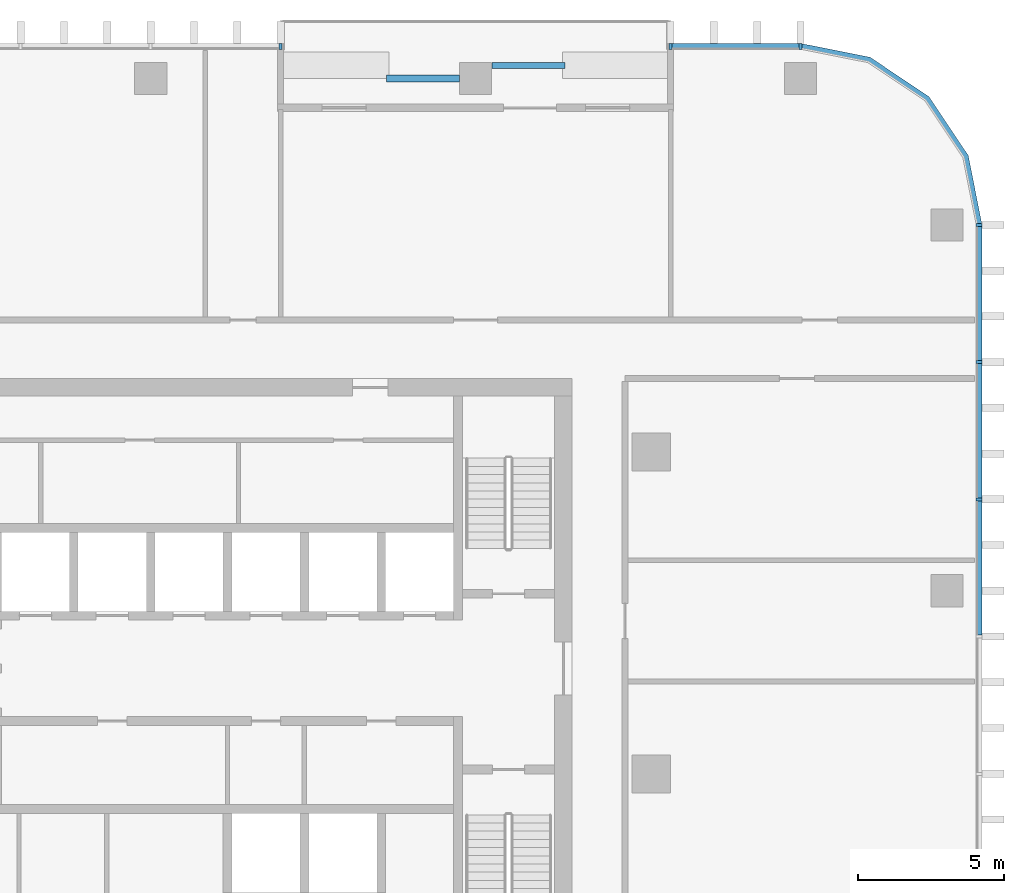
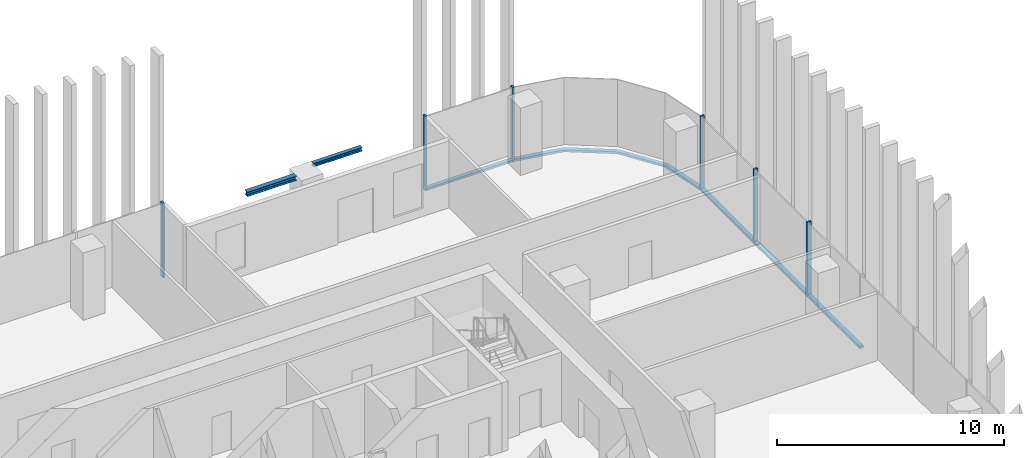
# One storey, part 5 of 16: 11 members, 2 beams, 4 elements without a shape of their own.
"""IFC4 building model written with IfcOpenShell, lengths in metres."""

import ifcopenshell
import ifcopenshell.guid

model = None  # the IFC model being written
_history = None  # IfcOwnerHistory: only IFC2X3 demands one
_inside = {}  # id of a spatial element -> (the spatial element, [elements in it])
_under = {}  # id of a project, library or spatial element -> (it, [spatial elements below it])
_declared = {}  # id of a project -> (the project, [libraries it declares])
_typed = {}  # id of a type object -> (the type object, [elements of that type])
_made_of = {}  # id of a material, layer set ... -> (it, [elements and type objects made of it])


def new_model(schema):
    """Start an empty IFC model of exactly this schema.

    Asked for "IFC4X3", IfcOpenShell would pick the latest addendum, in which some entities
    have other attributes; the version numbers below select the first issue.
    IFC2X3 requires an IfcOwnerHistory on every rooted entity: one is made here for all.
    """
    global model, _history
    if schema == "IFC4X3":
        model = ifcopenshell.file(schema_version=(4, 3, 0, 0))
    else:
        model = ifcopenshell.file(schema=schema)
    _inside.clear()
    _under.clear()
    _declared.clear()
    _typed.clear()
    _made_of.clear()
    _history = None
    if model.schema == "IFC2X3":
        org = make("IfcOrganization", Name="unknown")
        user = make(
            "IfcPersonAndOrganization",
            ThePerson=make("IfcPerson", FamilyName="unknown"),
            TheOrganization=org,
        )
        app = make(
            "IfcApplication",
            ApplicationDeveloper=org,
            Version="unknown",
            ApplicationFullName="unknown",
            ApplicationIdentifier="unknown",
        )
        _history = make(
            "IfcOwnerHistory",
            OwningUser=user,
            OwningApplication=app,
            ChangeAction="ADDED",
            CreationDate=0,
        )
    return model


def make(cls, **values):
    """One entity of the class cls with the attributes given. An attribute that is None is left unset."""
    return model.create_entity(
        cls, **{name: value for name, value in values.items() if value is not None}
    )


def rooted(cls, **values):
    """An entity with a GlobalId (a new one), such as an element, a storey or a relation."""
    return make(cls, GlobalId=ifcopenshell.guid.new(), OwnerHistory=_history, **values)


def si_unit(unit_type, name, prefix=None):
    """IfcSIUnit, for example si_unit("LENGTHUNIT", "METRE", prefix="MILLI")."""
    return make("IfcSIUnit", UnitType=unit_type, Prefix=prefix, Name=name)


def assignment(units):
    """IfcUnitAssignment: the units of a project."""
    return None if units is None else make("IfcUnitAssignment", Units=units)


def point(xyz):
    """IfcCartesianPoint."""
    return None if xyz is None else make("IfcCartesianPoint", Coordinates=xyz)


def direction(xyz):
    """IfcDirection."""
    return None if xyz is None else make("IfcDirection", DirectionRatios=xyz)


def frame(location, z_axis=None, x_axis=None):
    """IfcAxis2Placement3D, a coordinate frame: its origin and axes. An axis left out is left unset."""
    return make(
        "IfcAxis2Placement3D",
        Location=point(location),
        Axis=direction(z_axis),
        RefDirection=direction(x_axis),
    )


def frame_2d(location, x_axis=None):
    """IfcAxis2Placement2D, a coordinate frame in the plane: its origin and x axis."""
    return make(
        "IfcAxis2Placement2D", Location=point(location), RefDirection=direction(x_axis)
    )


def origin():
    """The frame at (0, 0, 0) with its axes left unset."""
    return frame((0.0, 0.0, 0.0))


def origin_2d():
    """The frame at (0, 0) in the plane with its x axis left unset."""
    return frame_2d((0.0, 0.0))


def place(relative_to, where):
    """IfcLocalPlacement: puts the frame where relative to a parent placement (None: the world)."""
    return make(
        "IfcLocalPlacement", PlacementRelTo=relative_to, RelativePlacement=where
    )


def context(
    kind, dimensions, precision=None, world=None, true_north=None, identifier=None
):
    """IfcGeometricRepresentationContext, for example the 3D "Model" context."""
    return make(
        "IfcGeometricRepresentationContext",
        ContextIdentifier=identifier,
        ContextType=kind,
        CoordinateSpaceDimension=dimensions,
        Precision=precision,
        WorldCoordinateSystem=world,
        TrueNorth=true_north,
    )


def subcontext(parent, identifier, kind, view, scale=None):
    """IfcGeometricRepresentationSubContext, for example "Body" below "Model"."""
    return make(
        "IfcGeometricRepresentationSubContext",
        ContextIdentifier=identifier,
        ContextType=kind,
        ParentContext=parent,
        TargetScale=scale,
        TargetView=view,
    )


def project(units=None, contexts=None):
    """IfcProject with its units and contexts."""
    return rooted(
        "IfcProject",
        Name="project",
        RepresentationContexts=contexts,
        UnitsInContext=assignment(units),
    )


def spatial(cls, under=None, at=None, **own):
    """A site, building, storey or space (cls), placed at a placement, below another one or the project."""
    s = rooted(cls, ObjectPlacement=at, **own)
    if under is not None:
        _under.setdefault(under.id(), (under, []))[1].append(s)
    return s


def polyline(points):
    """IfcPolyline through the points."""
    return make("IfcPolyline", Points=[point(p) for p in points])


def profile(cls, at=None, kind="AREA", **sizes):
    """A parametric profile (cls). Its sizes go by their IFC names, for example OverallWidth=200.0."""
    return make(cls, ProfileType=kind, Position=at, **sizes)


def rectangle(**sizes):
    """IfcRectangleProfileDef."""
    return profile("IfcRectangleProfileDef", **sizes)


def i_section(**sizes):
    """IfcIShapeProfileDef."""
    return profile("IfcIShapeProfileDef", **sizes)


def outline(outer, holes=None, kind="AREA"):
    """IfcArbitraryClosedProfileDef: a profile drawn as a closed curve; with holes, ...WithVoids."""
    if holes is None:
        return make("IfcArbitraryClosedProfileDef", ProfileType=kind, OuterCurve=outer)
    return make(
        "IfcArbitraryProfileDefWithVoids",
        ProfileType=kind,
        OuterCurve=outer,
        InnerCurves=holes,
    )


def extrude(swept, where, along, depth):
    """IfcExtrudedAreaSolid: the profile swept, set in the frame where, extruded along a direction by depth."""
    return make(
        "IfcExtrudedAreaSolid",
        SweptArea=swept,
        Position=where,
        ExtrudedDirection=direction(along),
        Depth=depth,
    )


def shape(context_of_items, identifier, shape_type, items):
    """IfcShapeRepresentation: the items that make up one representation, for example the "Body"."""
    return make(
        "IfcShapeRepresentation",
        ContextOfItems=context_of_items,
        RepresentationIdentifier=identifier,
        RepresentationType=shape_type,
        Items=items,
    )


def material(Name=None, Category=None):
    """IfcMaterial."""
    return make("IfcMaterial", Name=Name, Category=Category)


def material_profile(
    of_material, cross_section, Name=None, Category=None, Priority=None
):
    """IfcMaterialProfile: a cross section and its material."""
    return make(
        "IfcMaterialProfile",
        Name=Name,
        Material=of_material,
        Profile=cross_section,
        Priority=Priority,
        Category=Category,
    )


def profile_set(profiles, Name=None, composite=None):
    """IfcMaterialProfileSet."""
    return make(
        "IfcMaterialProfileSet",
        Name=Name,
        MaterialProfiles=profiles,
        CompositeProfile=composite,
    )


def made_of(thing, what):
    """Note that an element or type object is made of a material, layer set ...; save() writes the relation."""
    if what is not None:
        _made_of.setdefault(what.id(), (what, []))[1].append(thing)
    return thing


def type_object(cls, material=None, **own):
    """A type object (cls), such as IfcWallType, which elements share."""
    return made_of(rooted(cls, **own), material)


def element(
    cls,
    number,
    at=None,
    inside=None,
    cuts=None,
    type_object=None,
    material=None,
    context=None,
    identifier="Body",
    shape_type=None,
    held_by="IfcProductDefinitionShape",
    body=None,
    shapes=None,
    **own,
):
    """One element of the class cls, such as IfcWall. Its Tag is "e" and its number.

    at: its placement. inside: the storey or other place that contains it. cuts: it is an
    opening in that element (IfcRelVoidsElement). A single representation is given by context,
    identifier, shape_type and body (its items); several are given by shapes. held_by: the class
    of the entity that holds the representations. save() writes the other relations.
    """
    e = rooted(cls, Tag="e%d" % number, ObjectPlacement=at, **own)
    if body is not None:
        shapes = [shape(context, identifier, shape_type, body)]
    if shapes is not None:
        e.Representation = make(held_by, Representations=shapes)
    if inside is not None:
        _inside.setdefault(inside.id(), (inside, []))[1].append(e)
    if cuts is not None:
        rooted(
            "IfcRelVoidsElement", RelatingBuildingElement=cuts, RelatedOpeningElement=e
        )
    if type_object is not None:
        _typed.setdefault(type_object.id(), (type_object, []))[1].append(e)
    return made_of(e, material)


def aggregate(whole, parts):
    """IfcRelAggregates: a whole, such as a stair, and the parts it consists of."""
    return rooted("IfcRelAggregates", RelatingObject=whole, RelatedObjects=parts)


def save(model, path):
    """Write the relations noted so far, then the file.

    IfcRelAggregates (storeys below a building ...), IfcRelContainedInSpatialStructure (elements
    in a storey), IfcRelDefinesByType, IfcRelAssociatesMaterial and IfcRelDeclares: one each for
    every whole, place, type object, material and project.
    """
    for whole, parts in _under.values():
        aggregate(whole, parts)
    for where, things in _inside.values():
        rooted(
            "IfcRelContainedInSpatialStructure",
            RelatedElements=things,
            RelatingStructure=where,
        )
    for kind, things in _typed.values():
        rooted("IfcRelDefinesByType", RelatedObjects=things, RelatingType=kind)
    for what, things in _made_of.values():
        rooted("IfcRelAssociatesMaterial", RelatedObjects=things, RelatingMaterial=what)
    for by, libraries in _declared.values():
        rooted("IfcRelDeclares", RelatingContext=by, RelatedDefinitions=libraries)
    model.write(path)


model = new_model("IFC4")

# Units and contexts
model_context = context("Model", 3, precision=1e-05, world=origin(), true_north=direction((0.0, 1.0)))
body_context = subcontext(model_context, "Body", "Model", "MODEL_VIEW")
ifc_project = project(units=[si_unit("LENGTHUNIT", "METRE"), si_unit("AREAUNIT", "SQUARE_METRE"), si_unit("VOLUMEUNIT", "CUBIC_METRE"), si_unit("PLANEANGLEUNIT", "RADIAN"), si_unit("MASSUNIT", "GRAM", prefix="KILO")], contexts=[model_context])

# Site, building, storey
site_placement = place(None, origin())
site = spatial("IfcSite", under=ifc_project, at=site_placement, CompositionType="ELEMENT")
building_placement = place(site_placement, origin())
building = spatial("IfcBuilding", under=site, at=building_placement, Name="Mopane Tessera Tower", CompositionType="ELEMENT")
storey_placement = place(building_placement, frame((0.0, 0.0, 247.0)))
storey = spatial("IfcBuildingStorey", under=building, at=storey_placement, Name="L53", CompositionType="ELEMENT", Elevation=247.0)

# Curtain wall, members
ifc_material_1 = material(Name="Aluminium frame", Category="aluminium")
curtain_wall_type = type_object("IfcCurtainWallType", Name="Unitised curtain wall", PredefinedType="NOTDEFINED", material=ifc_material_1)
curtain_wall_1_placement = place(storey_placement, origin())
curtain_wall_1 = element("IfcCurtainWall", 1, at=curtain_wall_1_placement, inside=storey, type_object=curtain_wall_type, Name="e:cw:L53:E:0", PredefinedType="NOTDEFINED")
ifc_material_2 = material(Name="Aluminium frame", Category="aluminium")
ifc_material_profile_1 = material_profile(ifc_material_2, rectangle(XDim=0.10009765625, YDim=0.199951171875, at=origin_2d()))
ifc_profile_set_1 = profile_set([ifc_material_profile_1], Name="Aluminium frame")
member_type_1 = type_object("IfcMemberType", Name="Aluminium mullion 100 x 200", PredefinedType="MULLION", material=ifc_profile_set_1)
member_1_placement = place(storey_placement, frame((28.300048828125, 9.375, -0.39990234375), z_axis=(0.0, 0.0, 1.0), x_axis=(0.0, 1.0, 0.0)))
member_1 = element("IfcMember", 2, at=member_1_placement, type_object=member_type_1, Name="e:cw:L53:E:0:mu6", PredefinedType="MULLION", context=body_context, shape_type="SweptSolid", body=[
    extrude(rectangle(XDim=0.10009765625, YDim=0.199951171875, at=origin_2d()), origin(), (0.0, 0.0, 1.0), 4.0),
])
member_2_placement = place(storey_placement, frame((28.300048828125, 14.0625, -0.39990234375), z_axis=(0.0, 0.0, 1.0), x_axis=(0.0, 1.0, 0.0)))
member_2 = element("IfcMember", 3, at=member_2_placement, type_object=member_type_1, Name="e:cw:L53:E:0:mu7", PredefinedType="MULLION", context=body_context, shape_type="SweptSolid", body=[
    extrude(rectangle(XDim=0.10009765625, YDim=0.199951171875, at=origin_2d()), origin(), (0.0, 0.0, 1.0), 4.0),
])
member_3_placement = place(storey_placement, frame((28.300048828125, 18.75, -0.39990234375), z_axis=(0.0, 0.0, 1.0), x_axis=(0.0, 1.0, 0.0)))
member_3 = element("IfcMember", 4, at=member_3_placement, type_object=member_type_1, Name="e:cw:L53:E:0:mu8", PredefinedType="MULLION", context=body_context, shape_type="SweptSolid", body=[
    extrude(rectangle(XDim=0.10009765625, YDim=0.199951171875, at=origin_2d()), origin(), (0.0, 0.0, 1.0), 4.0),
])

curtain_wall_2_placement = place(storey_placement, origin())
curtain_wall_2 = element("IfcCurtainWall", 5, at=curtain_wall_2_placement, inside=storey, type_object=curtain_wall_type, Name="e:cw:L53:N:0", PredefinedType="NOTDEFINED")
member_4_placement = place(storey_placement, frame((22.199951171875, 24.85009765625, -0.39990234375), z_axis=(0.0, 0.0, 1.0), x_axis=(-1.0, 0.0, 0.0)))
member_4 = element("IfcMember", 6, at=member_4_placement, type_object=member_type_1, Name="e:cw:L53:N:0:mu0", PredefinedType="MULLION", context=body_context, shape_type="SweptSolid", body=[
    extrude(rectangle(XDim=0.10009765625, YDim=0.199951171875, at=origin_2d()), origin(), (0.0, 0.0, 1.0), 4.0),
])
member_5_placement = place(storey_placement, frame((17.760009765625, 24.85009765625, -0.39990234375), z_axis=(0.0, 0.0, 1.0), x_axis=(-1.0, 0.0, 0.0)))
member_5 = element("IfcMember", 7, at=member_5_placement, type_object=member_type_1, Name="e:cw:L53:N:0:mu1", PredefinedType="MULLION", context=body_context, shape_type="SweptSolid", body=[
    extrude(rectangle(XDim=0.10009765625, YDim=0.199951171875, at=origin_2d()), origin(), (0.0, 0.0, 1.0), 4.0),
])

# Curtain wall, member
curtain_wall_3_placement = place(storey_placement, origin())
curtain_wall_3 = element("IfcCurtainWall", 8, at=curtain_wall_3_placement, inside=storey, type_object=curtain_wall_type, Name="e:cw:L53:N:4", PredefinedType="NOTDEFINED")
member_6_placement = place(storey_placement, frame((4.43994140625, 24.85009765625, -0.39990234375), z_axis=(0.0, 0.0, 1.0), x_axis=(-1.0, 0.0, 0.0)))
member_6 = element("IfcMember", 9, at=member_6_placement, type_object=member_type_1, Name="e:cw:L53:N:4:mu4", PredefinedType="MULLION", context=body_context, shape_type="SweptSolid", body=[
    extrude(rectangle(XDim=0.10009765625, YDim=0.199951171875, at=origin_2d()), origin(), (0.0, 0.0, 1.0), 4.0),
])
aggregate(curtain_wall_3, [member_6])

# Member
ifc_material_3 = material(Name="Aluminium frame", Category="aluminium")
ifc_material_profile_2 = material_profile(ifc_material_3, rectangle(XDim=0.199951171875, YDim=0.1201171875, at=origin_2d()))
ifc_profile_set_2 = profile_set([ifc_material_profile_2], Name="Aluminium frame")
member_type_2 = type_object("IfcMemberType", Name="Aluminium transom 200 x 120", PredefinedType="USERDEFINED", material=ifc_profile_set_2)
member_7_placement = place(storey_placement, frame((28.300048828125, 4.737548828125, -0.340087890625), z_axis=(0.0, 1.0, 0.0), x_axis=(-1.0, 0.0, 0.0)))
member_7 = element("IfcMember", 10, at=member_7_placement, type_object=member_type_2, Name="e:cw:L53:E:0:tr5", ObjectType="TRANSOM", PredefinedType="USERDEFINED", context=body_context, shape_type="SweptSolid", body=[
    extrude(rectangle(XDim=0.199951171875, YDim=0.1201171875, at=origin_2d()), origin(), (0.0, 0.0, 1.0), 4.58740234375),
])

member_8_placement = place(storey_placement, frame((28.300048828125, 9.425048828125, -0.340087890625), z_axis=(0.0, 1.0, 0.0), x_axis=(-1.0, 0.0, 0.0)))
member_8 = element("IfcMember", 11, at=member_8_placement, type_object=member_type_2, Name="e:cw:L53:E:0:tr6", ObjectType="TRANSOM", PredefinedType="USERDEFINED", context=body_context, shape_type="SweptSolid", body=[
    extrude(rectangle(XDim=0.199951171875, YDim=0.1201171875, at=origin_2d()), origin(), (0.0, 0.0, 1.0), 4.58740234375),
])

member_9_placement = place(storey_placement, frame((28.300048828125, 14.112548828125, -0.340087890625), z_axis=(0.0, 1.0, 0.0), x_axis=(-1.0, 0.0, 0.0)))
member_9 = element("IfcMember", 12, at=member_9_placement, type_object=member_type_2, Name="e:cw:L53:E:0:tr7", ObjectType="TRANSOM", PredefinedType="USERDEFINED", context=body_context, shape_type="SweptSolid", body=[
    extrude(rectangle(XDim=0.199951171875, YDim=0.1201171875, at=origin_2d()), origin(), (0.0, 0.0, 1.0), 4.58740234375),
])

aggregate(curtain_wall_1, [member_1, member_2, member_3, member_7, member_8, member_9])

# Curtain wall, member
curtain_wall_4_placement = place(storey_placement, origin())
curtain_wall_4 = element("IfcCurtainWall", 13, at=curtain_wall_4_placement, inside=storey, type_object=curtain_wall_type, Name="e:cw:L53:CE", PredefinedType="NOTDEFINED")
member_10_placement = place(storey_placement, frame((0.0, 0.0, -0.39990234375)))
member_10 = element("IfcMember", 14, at=member_10_placement, type_object=member_type_2, Name="e:cw:L53:CE:tr", ObjectType="TRANSOM", PredefinedType="USERDEFINED", context=body_context, shape_type="SweptSolid", body=[
    extrude(outline(polyline([(28.199951171875, 18.75), (27.7431640625, 21.046142578125), (26.442626953125, 22.99267578125), (24.49609375, 24.293212890625), (22.199951171875, 24.75), (22.199951171875, 24.949951171875), (24.57275390625, 24.47802734375), (26.583984375, 23.134033203125), (27.927978515625, 21.12255859375), (28.39990234375, 18.75), (28.199951171875, 18.75)])), origin(), (0.0, 0.0, 1.0), 0.119873046875),
])
aggregate(curtain_wall_4, [member_10])

# Member
member_11_placement = place(storey_placement, frame((22.14990234375, 24.85009765625, -0.340087890625), z_axis=(-1.0, 0.0, 0.0), x_axis=(0.0, -1.0, 0.0)))
member_11 = element("IfcMember", 15, at=member_11_placement, type_object=member_type_2, Name="e:cw:L53:N:0:tr0", ObjectType="TRANSOM", PredefinedType="USERDEFINED", context=body_context, shape_type="SweptSolid", body=[
    extrude(rectangle(XDim=0.199951171875, YDim=0.1201171875, at=origin_2d()), origin(), (0.0, 0.0, 1.0), 4.33984375),
])

aggregate(curtain_wall_2, [member_4, member_5, member_11])

# Beams
ifc_material_4 = material(Name="Structural steel S460", Category="steel")
ifc_material_profile_3 = material_profile(ifc_material_4, i_section(OverallWidth=0.239990234375, OverallDepth=0.239990234375, WebThickness=0.010009765625, FlangeThickness=0.01708984375, FilletRadius=0.02099609375, at=origin_2d()))
ifc_profile_set_3 = profile_set([ifc_material_profile_3], Name="Structural steel S460")
beam_type_1 = type_object("IfcBeamType", Name="Terrace spandrel beam HE 240 B", PredefinedType="SPANDREL", material=ifc_profile_set_3)
beam_1_placement = place(storey_placement, frame((10.547119140625, 23.75, 3.47998046875), z_axis=(-1.0, 0.0, 0.0), x_axis=(0.0, -1.0, 0.0)))
element("IfcBeam", 16, at=beam_1_placement, inside=storey, type_object=beam_type_1, Name="Terrace spandrel beam N2 L54", PredefinedType="SPANDREL", context=body_context, shape_type="SweptSolid", body=[
    extrude(i_section(OverallWidth=0.239990234375, OverallDepth=0.239990234375, WebThickness=0.010009765625, FlangeThickness=0.01708984375, FilletRadius=0.02099609375, at=origin_2d()), origin(), (0.0, 0.0, 1.0), 2.5),
])
ifc_material_5 = material(Name="Structural steel S460", Category="steel")
ifc_material_profile_4 = material_profile(ifc_material_5, i_section(OverallWidth=0.199951171875, OverallDepth=0.199951171875, WebThickness=0.009033203125, FlangeThickness=0.014892578125, FilletRadius=0.01806640625, at=origin_2d()))
ifc_profile_set_4 = profile_set([ifc_material_profile_4], Name="Structural steel S460")
beam_type_2 = type_object("IfcBeamType", Name="Terrace trimmer beam HE 200 B", PredefinedType="BEAM", material=ifc_profile_set_4)
beam_2_placement = place(storey_placement, frame((11.653076171875, 24.18994140625, 3.5), z_axis=(1.0, 0.0, 0.0), x_axis=(0.0, 1.0, 0.0)))
element("IfcBeam", 17, at=beam_2_placement, inside=storey, type_object=beam_type_2, Name="Terrace trimmer beam N2 L54", PredefinedType="BEAM", context=body_context, shape_type="SweptSolid", body=[
    extrude(i_section(OverallWidth=0.199951171875, OverallDepth=0.199951171875, WebThickness=0.009033203125, FlangeThickness=0.014892578125, FilletRadius=0.01806640625, at=origin_2d()), origin(), (0.0, 0.0, 1.0), 2.5),
])

save(model, "model.ifc")
